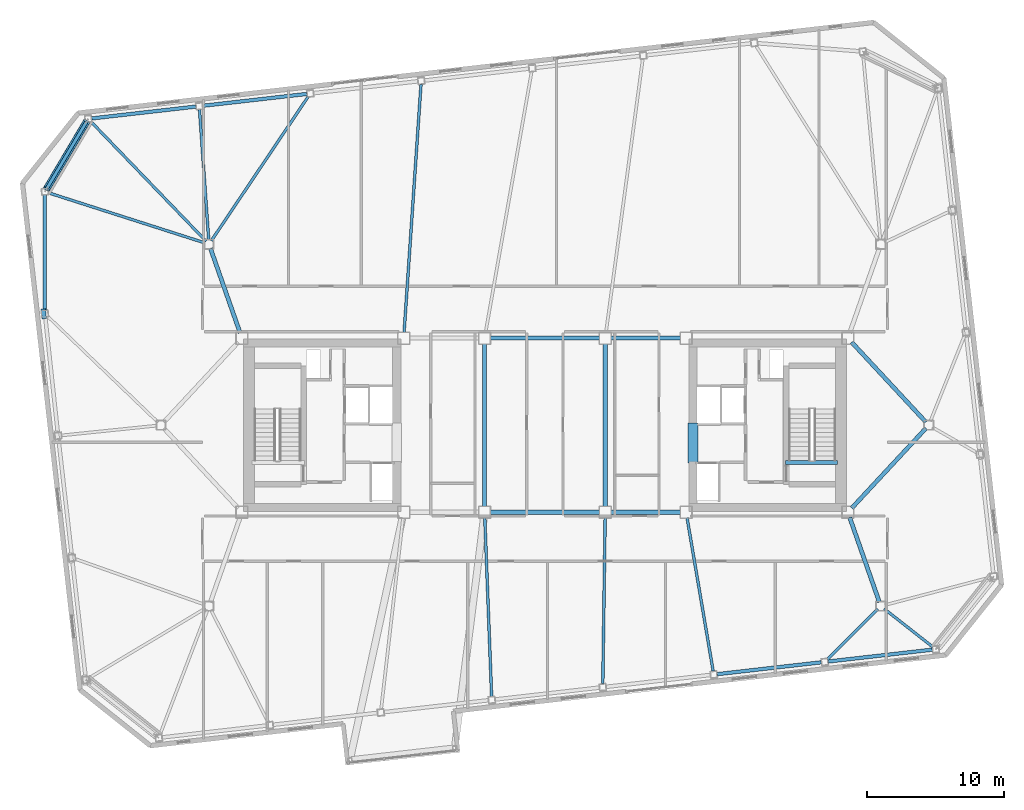
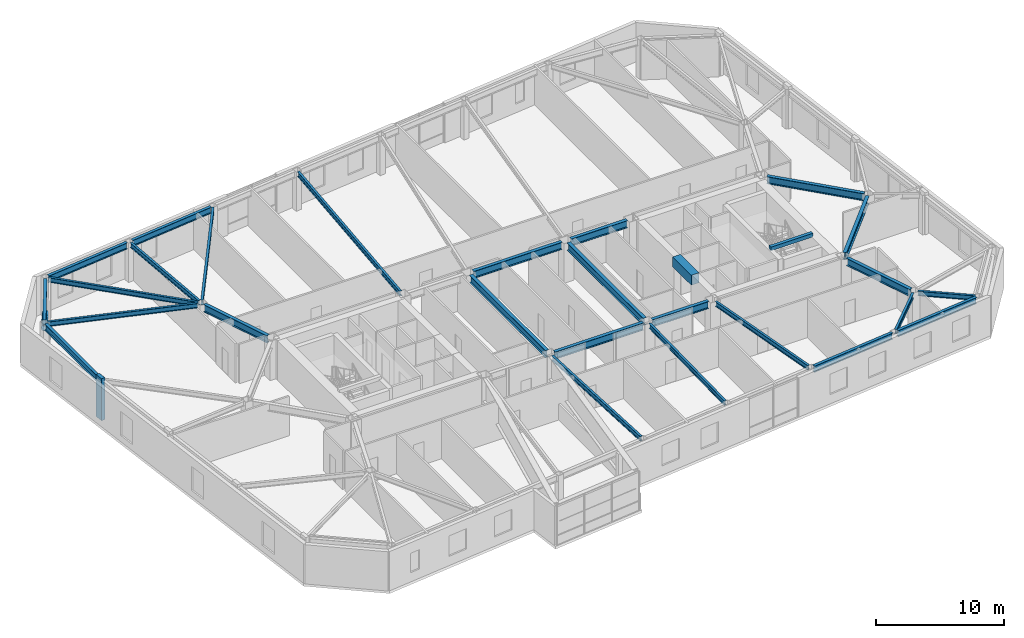
# One storey, part 8 of 19: 28 beams, 2 members.
"""IFC4 building model written with IfcOpenShell, lengths in metres."""

from ifc_helpers import new_model, si_unit, direction, frame, origin, origin_2d, place, context, subcontext, project, spatial, rectangle, hollow_circle, i_section, extrude, material, material_profile, profile_set, type_object, element, save


model = new_model("IFC4")

# Units and contexts
model_context = context("Model", 3, precision=1e-05, world=origin(), true_north=direction((0.0, 1.0)))
body_context = subcontext(model_context, "Body", "Model", "MODEL_VIEW")
ifc_project = project(units=[si_unit("LENGTHUNIT", "METRE"), si_unit("AREAUNIT", "SQUARE_METRE"), si_unit("VOLUMEUNIT", "CUBIC_METRE"), si_unit("PLANEANGLEUNIT", "RADIAN"), si_unit("MASSUNIT", "GRAM", prefix="KILO")], contexts=[model_context])

# Site, building, storey
site_placement = place(None, origin())
site = spatial("IfcSite", under=ifc_project, at=site_placement, CompositionType="ELEMENT")
building_placement = place(site_placement, origin())
building = spatial("IfcBuilding", under=site, at=building_placement, Name="Tavrogorsk Clinical Tower", CompositionType="ELEMENT")
storey_placement = place(building_placement, frame((0.0, 0.0, 218.199951171875)))
storey = spatial("IfcBuildingStorey", under=building, at=storey_placement, Name="L50", CompositionType="ELEMENT", Elevation=218.199951171875)

# Beam
ifc_material_1 = material(Name="Concrete B80", Category="concrete")
ifc_material_profile_1 = material_profile(ifc_material_1, rectangle(XDim=0.699951171875, YDim=0.949951171875, at=origin_2d()), Name="RC-CB-700x950")
ifc_profile_set_1 = profile_set([ifc_material_profile_1], Name="Concrete B80")
beam_type_1 = type_object("IfcBeamType", Name="CouplingBeam_RC700x950", PredefinedType="LINTEL", material=ifc_profile_set_1)
beam_1_placement = place(storey_placement, frame((10.800048828125, -2.75, 3.26513671875), z_axis=(0.0, 1.0, 0.0), x_axis=(-1.0, 0.0, 0.0)))
element("IfcBeam", 1, at=beam_1_placement, inside=storey, type_object=beam_type_1, Name="L50 Core East Coupling Beam", PredefinedType="LINTEL", context=body_context, shape_type="SweptSolid", body=[
    extrude(rectangle(XDim=0.699951171875, YDim=0.949951171875, at=origin_2d()), origin(), (0.0, 0.0, 1.0), 2.89990234375),
])

# Member
ifc_material_2 = material(Name="Structural steel S440", Category="steel")
ifc_material_profile_2 = material_profile(ifc_material_2, hollow_circle(Radius=0.25390625, WallThickness=0.02001953125, at=origin_2d()), Name="CHS-508x20")
ifc_profile_set_2 = profile_set([ifc_material_profile_2], Name="Structural steel S440")
member_type_1 = type_object("IfcMemberType", Name="ExoBrace_CHS508", PredefinedType="BRACE", material=ifc_profile_set_2)
member_1_placement = place(storey_placement, frame((-33.428955078125, 22.143310546875, 0.40625), z_axis=(-0.466115044739, -0.783286774864, 0.411337566228), x_axis=(0.859354157364, -0.511380907173, 0.0)))
element("IfcMember", 2, at=member_1_placement, inside=storey, type_object=member_type_1, Name="L50 Corner Exoskeleton Brace N8-W1", PredefinedType="BRACE", context=body_context, shape_type="SweptSolid", body=[
    extrude(hollow_circle(Radius=0.25390625, WallThickness=0.02001953125, at=origin_2d()), origin(), (0.0, 0.0, 1.0), 6.266357421875),
])

# Beams
ifc_material_3 = material(Name="Structural steel S355", Category="steel")
ifc_material_profile_3 = material_profile(ifc_material_3, i_section(OverallWidth=0.199951171875, OverallDepth=0.449951171875, WebThickness=0.011474609375, FlangeThickness=0.01806640625, at=origin_2d()), Name="B-450x200x11.5x18")
ifc_profile_set_3 = profile_set([ifc_material_profile_3], Name="Structural steel S355")
beam_type_2 = type_object("IfcBeamType", Name="FloorBeam_B450", PredefinedType="BEAM", material=ifc_profile_set_3)
beam_2_placement = place(storey_placement, frame((-4.38427734375, -6.759765625, 3.51513671875), z_axis=(0.038250307093, -0.99926818923, 0.0), x_axis=(0.99926818923, 0.038250307093, 0.0)))
element("IfcBeam", 3, at=beam_2_placement, inside=storey, type_object=beam_type_2, Name="L50 Radial Floor Beam S4", PredefinedType="BEAM", context=body_context, shape_type="SweptSolid", body=[
    extrude(i_section(OverallWidth=0.199951171875, OverallDepth=0.449951171875, WebThickness=0.011474609375, FlangeThickness=0.01806640625, at=origin_2d()), origin(), (0.0, 0.0, 1.0), 13.027099609375),
])
beam_3_placement = place(storey_placement, frame((4.394287109375, -6.760009765625, 3.51513671875), z_axis=(-0.014108405926, -0.999900471488, 0.0), x_axis=(0.999900471488, -0.014108405926, 0.0)))
element("IfcBeam", 4, at=beam_3_placement, inside=storey, type_object=beam_type_2, Name="L50 Radial Floor Beam S5", PredefinedType="BEAM", context=body_context, shape_type="SweptSolid", body=[
    extrude(i_section(OverallWidth=0.199951171875, OverallDepth=0.449951171875, WebThickness=0.011474609375, FlangeThickness=0.01806640625, at=origin_2d()), origin(), (0.0, 0.0, 1.0), 12.095947265625),
])
beam_4_placement = place(storey_placement, frame((10.368896484375, -6.754150390625, 3.51513671875), z_axis=(0.167863881121, -0.985810183258, 0.0), x_axis=(0.985810183258, 0.167863881121, 0.0)))
element("IfcBeam", 5, at=beam_4_placement, inside=storey, type_object=beam_type_2, Name="L50 Radial Floor Beam S6", PredefinedType="BEAM", context=body_context, shape_type="SweptSolid", body=[
    extrude(i_section(OverallWidth=0.199951171875, OverallDepth=0.449951171875, WebThickness=0.011474609375, FlangeThickness=0.01806640625, at=origin_2d()), origin(), (0.0, 0.0, 1.0), 11.3427734375),
])
beam_5_placement = place(storey_placement, frame((24.2802734375, -13.418701171875, 3.51513671875), z_axis=(-0.708842234901, -0.705367057652, 0.0), x_axis=(0.705367057652, -0.708842234901, 0.0)))
element("IfcBeam", 6, at=beam_5_placement, inside=storey, type_object=beam_type_2, Name="L50 Radial Floor Beam S7", PredefinedType="BEAM", context=body_context, shape_type="SweptSolid", body=[
    extrude(i_section(OverallWidth=0.199951171875, OverallDepth=0.449951171875, WebThickness=0.011474609375, FlangeThickness=0.01806640625, at=origin_2d()), origin(), (0.0, 0.0, 1.0), 5.19873046875),
])
beam_6_placement = place(storey_placement, frame((24.743896484375, -13.391357421875, 3.51513671875), z_axis=(0.786731711527, -0.617295078611, 0.0), x_axis=(0.617295078611, 0.786731711527, 0.0)))
element("IfcBeam", 7, at=beam_6_placement, inside=storey, type_object=beam_type_2, Name="L50 Radial Floor Beam S8", PredefinedType="BEAM", context=body_context, shape_type="SweptSolid", body=[
    extrude(i_section(OverallWidth=0.199951171875, OverallDepth=0.449951171875, WebThickness=0.011474609375, FlangeThickness=0.01806640625, at=origin_2d()), origin(), (0.0, 0.0, 1.0), 4.52734375),
])
beam_7_placement = place(storey_placement, frame((-10.272216796875, 6.759033203125, 3.51513671875), z_axis=(0.068067126101, 0.997680743697, 0.0), x_axis=(-0.997680743697, 0.068067126101, 0.0)))
element("IfcBeam", 8, at=beam_7_placement, inside=storey, type_object=beam_type_2, Name="L50 Radial Floor Beam N5", PredefinedType="BEAM", context=body_context, shape_type="SweptSolid", body=[
    extrude(i_section(OverallWidth=0.199951171875, OverallDepth=0.449951171875, WebThickness=0.011474609375, FlangeThickness=0.01806640625, at=origin_2d()), origin(), (0.0, 0.0, 1.0), 18.13818359375),
])
beam_8_placement = place(storey_placement, frame((-24.3271484375, 13.457275390625, 3.51513671875), z_axis=(0.557666552953, 0.830065067159, 0.0), x_axis=(-0.830065067159, 0.557666552953, 0.0)))
element("IfcBeam", 9, at=beam_8_placement, inside=storey, type_object=beam_type_2, Name="L50 Radial Floor Beam N6", PredefinedType="BEAM", context=body_context, shape_type="SweptSolid", body=[
    extrude(i_section(OverallWidth=0.199951171875, OverallDepth=0.449951171875, WebThickness=0.011474609375, FlangeThickness=0.01806640625, at=origin_2d()), origin(), (0.0, 0.0, 1.0), 12.67236328125),
])
beam_9_placement = place(storey_placement, frame((-24.52197265625, 13.50927734375, 3.51513671875), z_axis=(-0.070563956086, 0.997507257167, 0.0), x_axis=(-0.997507257167, -0.070563956086, 0.0)))
element("IfcBeam", 10, at=beam_9_placement, inside=storey, type_object=beam_type_2, Name="L50 Radial Floor Beam N7", PredefinedType="BEAM", context=body_context, shape_type="SweptSolid", body=[
    extrude(i_section(OverallWidth=0.199951171875, OverallDepth=0.449951171875, WebThickness=0.011474609375, FlangeThickness=0.01806640625, at=origin_2d()), origin(), (0.0, 0.0, 1.0), 9.52490234375),
])
beam_10_placement = place(storey_placement, frame((-24.715087890625, 13.42333984375, 3.51513671875), z_axis=(-0.69371826835, 0.720246460704, 0.0), x_axis=(-0.720246460704, -0.69371826835, 0.0)))
element("IfcBeam", 11, at=beam_10_placement, inside=storey, type_object=beam_type_2, Name="L50 Radial Floor Beam N8", PredefinedType="BEAM", context=body_context, shape_type="SweptSolid", body=[
    extrude(i_section(OverallWidth=0.199951171875, OverallDepth=0.449951171875, WebThickness=0.011474609375, FlangeThickness=0.01806640625, at=origin_2d()), origin(), (0.0, 0.0, 1.0), 12.129638671875),
])
beam_11_placement = place(storey_placement, frame((-24.795166015625, 13.29443359375, 3.51513671875), z_axis=(-0.952367912824, 0.304951403709, 0.0), x_axis=(-0.304951403709, -0.952367912824, 0.0)))
element("IfcBeam", 12, at=beam_11_placement, inside=storey, type_object=beam_type_2, Name="L50 Radial Floor Beam W1", PredefinedType="BEAM", context=body_context, shape_type="SweptSolid", body=[
    extrude(i_section(OverallWidth=0.199951171875, OverallDepth=0.449951171875, WebThickness=0.011474609375, FlangeThickness=0.01806640625, at=origin_2d()), origin(), (0.0, 0.0, 1.0), 12.000732421875),
])

# Member
ifc_material_4 = material(Name="Precast concrete B45 with limestone cladding", Category="masonry")
ifc_material_profile_4 = material_profile(ifc_material_4, rectangle(XDim=0.320068359375, YDim=0.719970703125, at=origin_2d()), Name="LIMESTONE-FIN-320x720")
ifc_profile_set_4 = profile_set([ifc_material_profile_4], Name="Precast concrete B45 with limestone cladding")
member_type_2 = type_object("IfcMemberType", Name="LimestonePleatFin_320x720", PredefinedType="USERDEFINED", material=ifc_profile_set_4)
member_2_placement = place(storey_placement, frame((-36.549560546875, 8.121337890625, 0.0), z_axis=(0.0, 0.0, 1.0), x_axis=(0.993571855677, 0.113203213768, 0.0)))
element("IfcMember", 13, at=member_2_placement, inside=storey, type_object=member_type_2, Name="L50 W Pleated Stone Fin 1", ObjectType="FIN", PredefinedType="USERDEFINED", context=body_context, shape_type="SweptSolid", body=[
    extrude(rectangle(XDim=0.320068359375, YDim=0.719970703125, at=origin_2d()), origin(), (0.0, 0.0, 1.0), 4.0),
])

# Beams
ifc_material_5 = material(Name="Structural steel S390", Category="steel")
ifc_material_profile_5 = material_profile(ifc_material_5, i_section(OverallWidth=0.300048828125, OverallDepth=0.699951171875, WebThickness=0.01708984375, FlangeThickness=0.028076171875, at=origin_2d()), Name="B-700x300x17x28")
ifc_profile_set_5 = profile_set([ifc_material_profile_5], Name="Structural steel S390")
beam_type_3 = type_object("IfcBeamType", Name="PrimaryGirder_B700", PredefinedType="USERDEFINED", material=ifc_profile_set_5)
for number, where, z_axis, x_axis, name in (
    (14, (-3.989990234375, -6.35009765625, 3.39013671875), (1.0, 0.0, 0.0), (0.0, 1.0, 0.0), "L50 Primary Spine Girder MG-03"),
    (15, (-3.989990234375, 6.35009765625, 3.39013671875), (1.0, 0.0, 0.0), (0.0, 1.0, 0.0), "L50 Primary Spine Girder MG-04"),
):
    element("IfcBeam", number, at=place(storey_placement, frame(where, z_axis=z_axis, x_axis=x_axis)), inside=storey, type_object=beam_type_3, Name=name, ObjectType="GIRDER", PredefinedType="USERDEFINED", context=body_context, shape_type="SweptSolid", body=[
        extrude(i_section(OverallWidth=0.300048828125, OverallDepth=0.699951171875, WebThickness=0.01708984375, FlangeThickness=0.028076171875, at=origin_2d()), origin(), (0.0, 0.0, 1.0), 7.97998046875),
    ])
for number, where, z_axis, x_axis, name in (
    (16, (4.81005859375, -6.35009765625, 3.39013671875), (1.0, 0.0, 0.0), (0.0, 1.0, 0.0), "L50 Primary Spine Girder MG-05"),
    (17, (4.81005859375, 6.35009765625, 3.39013671875), (1.0, 0.0, 0.0), (0.0, 1.0, 0.0), "L50 Primary Spine Girder MG-06"),
):
    element("IfcBeam", number, at=place(storey_placement, frame(where, z_axis=z_axis, x_axis=x_axis)), inside=storey, type_object=beam_type_3, Name=name, ObjectType="GIRDER", PredefinedType="USERDEFINED", context=body_context, shape_type="SweptSolid", body=[
        extrude(i_section(OverallWidth=0.300048828125, OverallDepth=0.699951171875, WebThickness=0.01708984375, FlangeThickness=0.028076171875, at=origin_2d()), origin(), (0.0, 0.0, 1.0), 5.079833984375),
    ])
for number, where, z_axis, x_axis, name in (
    (18, (-4.39990234375, -5.93994140625, 3.39013671875), (0.0, 1.0, 0.0), (-1.0, 0.0, 0.0), "L50 Primary Spine Girder MG-07"),
    (19, (4.39990234375, -5.93994140625, 3.39013671875), (0.0, 1.0, 0.0), (-1.0, 0.0, 0.0), "L50 Primary Spine Girder MG-08"),
):
    element("IfcBeam", number, at=place(storey_placement, frame(where, z_axis=z_axis, x_axis=x_axis)), inside=storey, type_object=beam_type_3, Name=name, ObjectType="GIRDER", PredefinedType="USERDEFINED", context=body_context, shape_type="SweptSolid", body=[
        extrude(i_section(OverallWidth=0.300048828125, OverallDepth=0.699951171875, WebThickness=0.01708984375, FlangeThickness=0.028076171875, at=origin_2d()), origin(), (0.0, 0.0, 1.0), 11.8798828125),
    ])
for number, where, z_axis, x_axis, name in (
    (20, (24.3974609375, -12.907470703125, 3.39013671875), (-0.33065312634, 0.94375235631, 0.0), (-0.94375235631, -0.33065312634, 0.0), "L50 Spine Link Girder OPG-2"),
    (21, (-24.3974609375, 12.907470703125, 3.39013671875), (0.33065312634, -0.94375235631, 0.0), (0.94375235631, 0.33065312634, 0.0), "L50 Spine Link Girder OPG-3"),
):
    element("IfcBeam", number, at=place(storey_placement, frame(where, z_axis=z_axis, x_axis=x_axis)), inside=storey, type_object=beam_type_3, Name=name, ObjectType="GIRDER", PredefinedType="USERDEFINED", context=body_context, shape_type="SweptSolid", body=[
        extrude(i_section(OverallWidth=0.300048828125, OverallDepth=0.699951171875, WebThickness=0.01708984375, FlangeThickness=0.028076171875, at=origin_2d()), origin(), (0.0, 0.0, 1.0), 6.5380859375),
    ])
for number, where, z_axis, x_axis, name in (
    (22, (27.7890625, -0.22705078125, 3.39013671875), (-0.680673750312, -0.732586681312, 0.0), (0.732586681312, -0.680673750312, 0.0), "L50 Spine Link Girder OPG-7"),
    (23, (27.7890625, 0.22705078125, 3.39013671875), (-0.680673750312, 0.732586681312, 0.0), (-0.732586681312, -0.680673750312, 0.0), "L50 Spine Link Girder OPG-8"),
):
    element("IfcBeam", number, at=place(storey_placement, frame(where, z_axis=z_axis, x_axis=x_axis)), inside=storey, type_object=beam_type_3, Name=name, ObjectType="GIRDER", PredefinedType="USERDEFINED", context=body_context, shape_type="SweptSolid", body=[
        extrude(i_section(OverallWidth=0.300048828125, OverallDepth=0.699951171875, WebThickness=0.01708984375, FlangeThickness=0.028076171875, at=origin_2d()), origin(), (0.0, 0.0, 1.0), 7.947998046875),
    ])
ifc_material_6 = material(Name="Structural steel S390", Category="steel")
ifc_material_profile_6 = material_profile(ifc_material_6, i_section(OverallWidth=0.260009765625, OverallDepth=0.60009765625, WebThickness=0.014892578125, FlangeThickness=0.02392578125, at=origin_2d()), Name="B-600x260x15x24")
ifc_profile_set_6 = profile_set([ifc_material_profile_6], Name="Structural steel S390")
beam_type_4 = type_object("IfcBeamType", Name="SpandrelBeam_B600", PredefinedType="SPANDREL", material=ifc_profile_set_6)
beam_12_placement = place(storey_placement, frame((12.57275390625, -18.1611328125, 3.43994140625), z_axis=(0.993571689921, 0.113204668576, 0.0), x_axis=(-0.113204668576, 0.993571689921, 0.0)))
element("IfcBeam", 24, at=beam_12_placement, inside=storey, type_object=beam_type_4, Name="L50 Perimeter Spandrel S6-S7", PredefinedType="SPANDREL", context=body_context, shape_type="SweptSolid", body=[
    extrude(i_section(OverallWidth=0.260009765625, OverallDepth=0.60009765625, WebThickness=0.014892578125, FlangeThickness=0.02392578125, at=origin_2d()), origin(), (0.0, 0.0, 1.0), 7.63232421875),
])
for number, where, z_axis, x_axis, name in (
    (25, (20.668701171875, -17.238525390625, 3.43994140625), (0.993572099834, 0.113201070804, 0.0), (-0.113201070804, 0.993572099834, 0.0), "L50 Perimeter Spandrel S7-S8"),
    (26, (-17.37255859375, 24.1611328125, 3.43994140625), (-0.993572099834, -0.113201070804, 0.0), (0.113201070804, -0.993572099834, 0.0), "L50 Perimeter Spandrel N6-N7"),
    (27, (-25.46875, 23.238525390625, 3.43994140625), (-0.993572099834, -0.113201070804, 0.0), (0.113201070804, -0.993572099834, 0.0), "L50 Perimeter Spandrel N7-N8"),
):
    element("IfcBeam", number, at=place(storey_placement, frame(where, z_axis=z_axis, x_axis=x_axis)), inside=storey, type_object=beam_type_4, Name=name, PredefinedType="SPANDREL", context=body_context, shape_type="SweptSolid", body=[
        extrude(i_section(OverallWidth=0.260009765625, OverallDepth=0.60009765625, WebThickness=0.014892578125, FlangeThickness=0.02392578125, at=origin_2d()), origin(), (0.0, 0.0, 1.0), 7.632568359375),
    ])
beam_13_placement = place(storey_placement, frame((-33.4404296875, 22.123779296875, 3.43994140625), z_axis=(-0.51140659222, -0.859338872293, 0.0), x_axis=(0.859338872293, -0.51140659222, 0.0)))
element("IfcBeam", 28, at=beam_13_placement, inside=storey, type_object=beam_type_4, Name="L50 Perimeter Spandrel N8-W1", PredefinedType="SPANDREL", context=body_context, shape_type="SweptSolid", body=[
    extrude(i_section(OverallWidth=0.260009765625, OverallDepth=0.60009765625, WebThickness=0.014892578125, FlangeThickness=0.02392578125, at=origin_2d()), origin(), (0.0, 0.0, 1.0), 5.666259765625),
])
beam_14_placement = place(storey_placement, frame((-36.469970703125, 16.77490234375, 3.43994140625), z_axis=(0.0, -1.0, 0.0), x_axis=(1.0, 0.0, 0.0)))
element("IfcBeam", 29, at=beam_14_placement, inside=storey, type_object=beam_type_4, Name="L50 Perimeter Spandrel W1-W2", PredefinedType="SPANDREL", context=body_context, shape_type="SweptSolid", body=[
    extrude(i_section(OverallWidth=0.260009765625, OverallDepth=0.60009765625, WebThickness=0.014892578125, FlangeThickness=0.02392578125, at=origin_2d()), origin(), (0.0, 0.0, 1.0), 8.386474609375),
])
ifc_material_7 = material(Name="Concrete B60", Category="concrete")
ifc_material_profile_7 = material_profile(ifc_material_7, rectangle(XDim=0.300048828125, YDim=0.35009765625, at=origin_2d()), Name="RC-SHB-300x350")
ifc_profile_set_7 = profile_set([ifc_material_profile_7], Name="Concrete B60")
beam_type_5 = type_object("IfcBeamType", Name="StairHeaderBeam_RC300x350", PredefinedType="BEAM", material=ifc_profile_set_7)
beam_15_placement = place(storey_placement, frame((17.550048828125, -2.719970703125, 3.824951171875), z_axis=(1.0, 0.0, 0.0), x_axis=(0.0, 1.0, 0.0)))
element("IfcBeam", 30, at=beam_15_placement, inside=storey, type_object=beam_type_5, Name="L51 ST-E Landing Header Beam", PredefinedType="BEAM", context=body_context, shape_type="SweptSolid", body=[
    extrude(rectangle(XDim=0.300048828125, YDim=0.35009765625, at=origin_2d()), origin(), (0.0, 0.0, 1.0), 3.800048828125),
])

save(model, "model.ifc")
